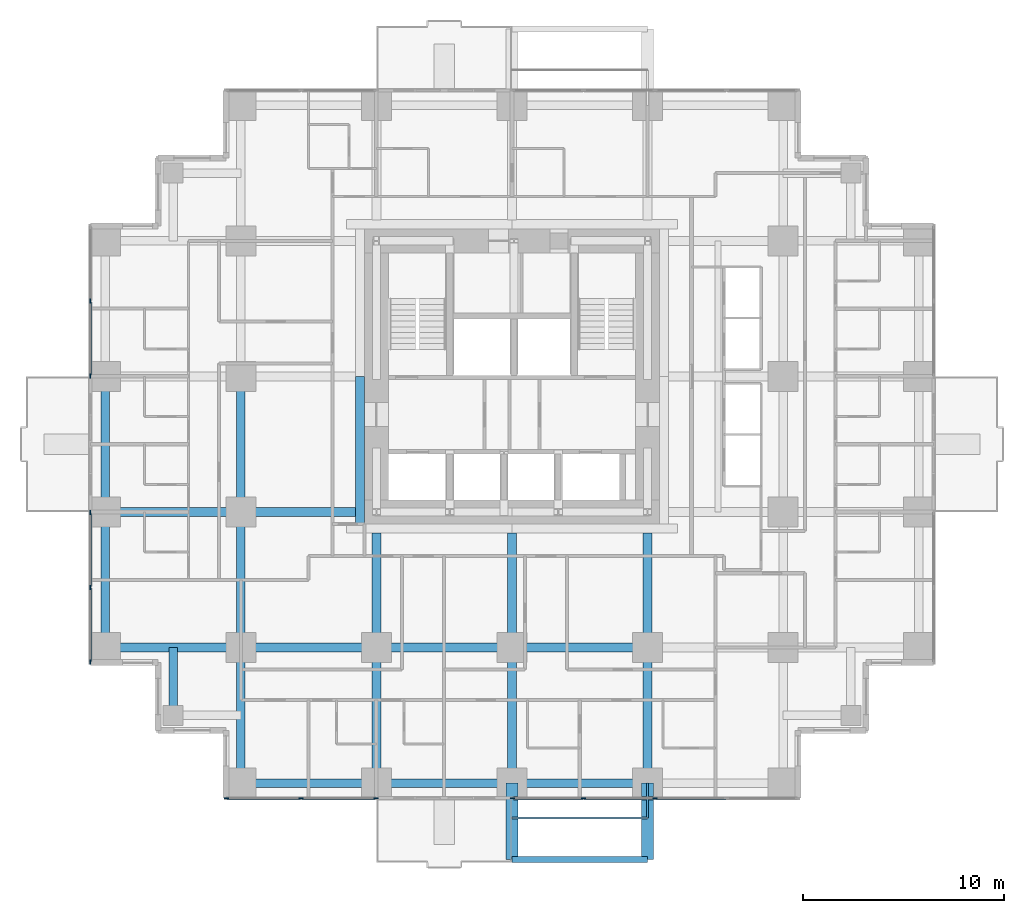
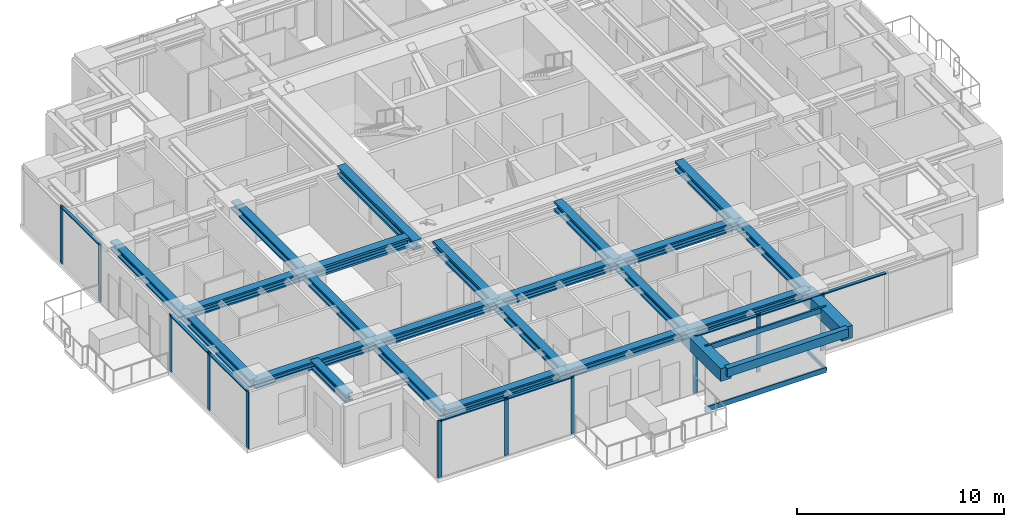
# One storey, part 2 of 13: 25 beams, 22 members, 4 elements without a shape of their own.
"""IFC4 building model written with IfcOpenShell, lengths in metres."""

from ifc_helpers import new_model, si_unit, direction, frame, origin, origin_2d, place, context, subcontext, project, spatial, rectangle, hollow_rectangle, i_section, extrude, material, material_profile, profile_set, type_object, element, aggregate, save


model = new_model("IFC4")

# Units and contexts
model_context = context("Model", 3, precision=1e-05, world=origin(), true_north=direction((0.0, 1.0)))
body_context = subcontext(model_context, "Body", "Model", "MODEL_VIEW")
ifc_project = project(units=[si_unit("LENGTHUNIT", "METRE"), si_unit("AREAUNIT", "SQUARE_METRE"), si_unit("VOLUMEUNIT", "CUBIC_METRE"), si_unit("PLANEANGLEUNIT", "RADIAN"), si_unit("MASSUNIT", "GRAM", prefix="KILO")], contexts=[model_context])

# Site, building, storey
site_placement = place(None, origin())
site = spatial("IfcSite", under=ifc_project, at=site_placement, CompositionType="ELEMENT")
building_placement = place(site_placement, origin())
building = spatial("IfcBuilding", under=site, at=building_placement, Name="Nyansa Garden Tower", CompositionType="ELEMENT")
storey_placement = place(building_placement, frame((0.0, 0.0, 130.5)))
storey = spatial("IfcBuildingStorey", under=building, at=storey_placement, Name="L35", CompositionType="ELEMENT", Elevation=130.5)

# Beams
ifc_material_1 = material(Name="Concrete C70/85", Category="concrete")
ifc_material_profile_1 = material_profile(ifc_material_1, rectangle(XDim=0.60009765625, YDim=0.75, at=origin_2d()), Name="RC 600x750")
ifc_profile_set_1 = profile_set([ifc_material_profile_1], Name="Concrete C70/85")
beam_type_1 = type_object("IfcBeamType", Name="Balcony cantilever beam CB1 RC 600x750", PredefinedType="BEAM", material=ifc_profile_set_1)
for number, where, z_axis, x_axis, name in (
    (1, (20.25, 0.0, 2.985107421875), (0.0, -1.0, 0.0), (1.0, 0.0, 0.0), "Balcony cantilever beam L36"),
    (2, (27.0, 0.0, 2.985107421875), (0.0, -1.0, 0.0), (1.0, 0.0, 0.0), "Balcony cantilever beam L36"),
):
    element("IfcBeam", number, at=place(storey_placement, frame(where, z_axis=z_axis, x_axis=x_axis)), inside=storey, type_object=beam_type_1, Name=name, PredefinedType="BEAM", context=body_context, shape_type="SweptSolid", body=[
        extrude(rectangle(XDim=0.60009765625, YDim=0.75, at=origin_2d()), origin(), (0.0, 0.0, 1.0), 3.800048828125),
    ])
ifc_material_2 = material(Name="Concrete C70/85", Category="concrete")
ifc_material_profile_2 = material_profile(ifc_material_2, rectangle(XDim=0.300048828125, YDim=0.5, at=origin_2d()), Name="RC 300x500")
ifc_profile_set_2 = profile_set([ifc_material_profile_2], Name="Concrete C70/85")
beam_type_2 = type_object("IfcBeamType", Name="Balcony edge beam BE1 RC 300x500", PredefinedType="BEAM", material=ifc_profile_set_2)
beam_1_placement = place(storey_placement, frame((20.25, -3.800048828125, 3.110107421875), z_axis=(1.0, 0.0, 0.0), x_axis=(0.0, 1.0, 0.0)))
element("IfcBeam", 3, at=beam_1_placement, inside=storey, type_object=beam_type_2, Name="Balcony edge beam L36", PredefinedType="BEAM", context=body_context, shape_type="SweptSolid", body=[
    extrude(rectangle(XDim=0.300048828125, YDim=0.5, at=origin_2d()), origin(), (0.0, 0.0, 1.0), 6.75),
])

# Curtain wall, members
ifc_material_3 = material(Name="Black anodised aluminium, dark tinted double glazing", Category="aluminium")
curtain_wall_type = type_object("IfcCurtainWallType", Name="Inner skin curtain wall ISW-B", PredefinedType="USERDEFINED", material=ifc_material_3)
curtain_wall_1_placement = place(storey_placement, origin())
curtain_wall_1 = element("IfcCurtainWall", 4, at=curtain_wall_1_placement, inside=storey, type_object=curtain_wall_type, Name="Inner skin curtain wall L35 W", ObjectType="UNITISED CURTAIN WALL", PredefinedType="USERDEFINED")
ifc_material_4 = material(Name="Black anodised aluminium", Category="aluminium")
ifc_material_profile_3 = material_profile(ifc_material_4, rectangle(XDim=0.06494140625, YDim=0.22509765625, at=origin_2d()), Name="Mullion 225x65")
ifc_profile_set_3 = profile_set([ifc_material_profile_3], Name="Black anodised aluminium")
member_type_1 = type_object("IfcMemberType", Name="Mullion ISW-B 225x65", PredefinedType="MULLION", material=ifc_profile_set_3)
member_1_placement = place(storey_placement, frame((-0.75, 13.467529296875, 0.0), z_axis=(0.0, 0.0, 1.0), x_axis=(1.0, 0.0, 0.0)))
member_1 = element("IfcMember", 5, at=member_1_placement, type_object=member_type_1, Name="ISW-B mullion 1", PredefinedType="MULLION", context=body_context, shape_type="SweptSolid", body=[
    extrude(rectangle(XDim=0.06494140625, YDim=0.22509765625, at=origin_2d()), origin(), (0.0, 0.0, 1.0), 3.375),
])
member_2_placement = place(storey_placement, frame((-0.75, 9.75, 0.0), z_axis=(0.0, 0.0, 1.0), x_axis=(1.0, 0.0, 0.0)))
member_2 = element("IfcMember", 6, at=member_2_placement, type_object=member_type_1, Name="ISW-B mullion 2", PredefinedType="MULLION", context=body_context, shape_type="SweptSolid", body=[
    extrude(rectangle(XDim=0.06494140625, YDim=0.22509765625, at=origin_2d()), origin(), (0.0, 0.0, 1.0), 3.375),
])
member_3_placement = place(storey_placement, frame((-0.75, 6.032470703125, 0.0), z_axis=(0.0, 0.0, 1.0), x_axis=(1.0, 0.0, 0.0)))
member_3 = element("IfcMember", 7, at=member_3_placement, type_object=member_type_1, Name="ISW-B mullion 3", PredefinedType="MULLION", context=body_context, shape_type="SweptSolid", body=[
    extrude(rectangle(XDim=0.06494140625, YDim=0.22509765625, at=origin_2d()), origin(), (0.0, 0.0, 1.0), 3.375),
])

curtain_wall_2_placement = place(storey_placement, origin())
curtain_wall_2 = element("IfcCurtainWall", 8, at=curtain_wall_2_placement, inside=storey, type_object=curtain_wall_type, Name="Inner skin curtain wall L35 W", ObjectType="UNITISED CURTAIN WALL", PredefinedType="USERDEFINED")
member_4_placement = place(storey_placement, frame((-0.75, 24.0, 0.0), z_axis=(0.0, 0.0, 1.0), x_axis=(1.0, 0.0, 0.0)))
member_4 = element("IfcMember", 9, at=member_4_placement, type_object=member_type_1, Name="ISW-B mullion 2", PredefinedType="MULLION", context=body_context, shape_type="SweptSolid", body=[
    extrude(rectangle(XDim=0.06494140625, YDim=0.22509765625, at=origin_2d()), origin(), (0.0, 0.0, 1.0), 3.375),
])
member_5_placement = place(storey_placement, frame((-0.75, 20.282470703125, 0.0), z_axis=(0.0, 0.0, 1.0), x_axis=(1.0, 0.0, 0.0)))
member_5 = element("IfcMember", 10, at=member_5_placement, type_object=member_type_1, Name="ISW-B mullion 3", PredefinedType="MULLION", context=body_context, shape_type="SweptSolid", body=[
    extrude(rectangle(XDim=0.06494140625, YDim=0.22509765625, at=origin_2d()), origin(), (0.0, 0.0, 1.0), 3.375),
])

curtain_wall_3_placement = place(storey_placement, origin())
curtain_wall_3 = element("IfcCurtainWall", 11, at=curtain_wall_3_placement, inside=storey, type_object=curtain_wall_type, Name="Inner skin curtain wall L35 S", ObjectType="UNITISED CURTAIN WALL", PredefinedType="USERDEFINED")
member_6_placement = place(storey_placement, frame((6.032470703125, -0.75, 0.0), z_axis=(0.0, 0.0, 1.0), x_axis=(0.0, 1.0, 0.0)))
member_6 = element("IfcMember", 12, at=member_6_placement, type_object=member_type_1, Name="ISW-B mullion 1", PredefinedType="MULLION", context=body_context, shape_type="SweptSolid", body=[
    extrude(rectangle(XDim=0.06494140625, YDim=0.22509765625, at=origin_2d()), origin(), (0.0, 0.0, 1.0), 3.375),
])
member_7_placement = place(storey_placement, frame((9.75, -0.75, 0.0), z_axis=(0.0, 0.0, 1.0), x_axis=(0.0, 1.0, 0.0)))
member_7 = element("IfcMember", 13, at=member_7_placement, type_object=member_type_1, Name="ISW-B mullion 2", PredefinedType="MULLION", context=body_context, shape_type="SweptSolid", body=[
    extrude(rectangle(XDim=0.06494140625, YDim=0.22509765625, at=origin_2d()), origin(), (0.0, 0.0, 1.0), 3.375),
])
member_8_placement = place(storey_placement, frame((13.467529296875, -0.75, 0.0), z_axis=(0.0, 0.0, 1.0), x_axis=(0.0, 1.0, 0.0)))
member_8 = element("IfcMember", 14, at=member_8_placement, type_object=member_type_1, Name="ISW-B mullion 3", PredefinedType="MULLION", context=body_context, shape_type="SweptSolid", body=[
    extrude(rectangle(XDim=0.06494140625, YDim=0.22509765625, at=origin_2d()), origin(), (0.0, 0.0, 1.0), 3.375),
])

curtain_wall_4_placement = place(storey_placement, origin())
curtain_wall_4 = element("IfcCurtainWall", 15, at=curtain_wall_4_placement, inside=storey, type_object=curtain_wall_type, Name="Inner skin curtain wall L35 S", ObjectType="UNITISED CURTAIN WALL", PredefinedType="USERDEFINED")
member_9_placement = place(storey_placement, frame((20.282470703125, -0.75, 0.0), z_axis=(0.0, 0.0, 1.0), x_axis=(0.0, 1.0, 0.0)))
member_9 = element("IfcMember", 16, at=member_9_placement, type_object=member_type_1, Name="ISW-B mullion 1", PredefinedType="MULLION", context=body_context, shape_type="SweptSolid", body=[
    extrude(rectangle(XDim=0.06494140625, YDim=0.22509765625, at=origin_2d()), origin(), (0.0, 0.0, 1.0), 3.375),
])
member_10_placement = place(storey_placement, frame((23.8125, -0.75, 0.0), z_axis=(0.0, 0.0, 1.0), x_axis=(0.0, 1.0, 0.0)))
member_10 = element("IfcMember", 17, at=member_10_placement, type_object=member_type_1, Name="ISW-B mullion 2", PredefinedType="MULLION", context=body_context, shape_type="SweptSolid", body=[
    extrude(rectangle(XDim=0.06494140625, YDim=0.22509765625, at=origin_2d()), origin(), (0.0, 0.0, 1.0), 3.375),
])
member_11_placement = place(storey_placement, frame((27.375, -0.75, 0.0), z_axis=(0.0, 0.0, 1.0), x_axis=(0.0, 1.0, 0.0)))
member_11 = element("IfcMember", 18, at=member_11_placement, type_object=member_type_1, Name="ISW-B mullion 3", PredefinedType="MULLION", context=body_context, shape_type="SweptSolid", body=[
    extrude(rectangle(XDim=0.06494140625, YDim=0.22509765625, at=origin_2d()), origin(), (0.0, 0.0, 1.0), 3.375),
])

# Members
ifc_material_5 = material(Name="Steel S355, black powder coated", Category="steel")
ifc_material_profile_4 = material_profile(ifc_material_5, hollow_rectangle(XDim=0.10009765625, YDim=0.199951171875, WallThickness=0.008056640625, at=origin_2d()), Name="RHS 200x100x8")
ifc_profile_set_4 = profile_set([ifc_material_profile_4], Name="Steel S355, black powder coated")
member_type_2 = type_object("IfcMemberType", Name="Outer skin bracket arm RHS 200x100x8", PredefinedType="USERDEFINED", material=ifc_profile_set_4)
member_12_placement = place(storey_placement, frame((27.0, 0.0, -0.375), z_axis=(0.0, -1.0, 0.0), x_axis=(1.0, 0.0, 0.0)))
element("IfcMember", 19, at=member_12_placement, inside=storey, type_object=member_type_2, Name="Outer skin bracket arm", ObjectType="OUTER SKIN BRACKET", PredefinedType="USERDEFINED", context=body_context, shape_type="SweptSolid", body=[
    extrude(hollow_rectangle(XDim=0.10009765625, YDim=0.199951171875, WallThickness=0.008056640625, at=origin_2d()), origin(), (0.0, 0.0, 1.0), 1.75),
])
ifc_material_6 = material(Name="Steel S355, black powder coated", Category="steel")
ifc_material_profile_5 = material_profile(ifc_material_6, hollow_rectangle(XDim=0.10009765625, YDim=0.300048828125, WallThickness=0.010009765625, at=origin_2d()), Name="RHS 300x100x10")
ifc_profile_set_5 = profile_set([ifc_material_profile_5], Name="Steel S355, black powder coated")
member_type_3 = type_object("IfcMemberType", Name="Outer skin rail RHS 300x100x10", PredefinedType="USERDEFINED", material=ifc_profile_set_5)
for number, where, z_axis, x_axis, name in (
    (20, (20.25, -1.75, -0.375), (1.0, 0.0, 0.0), (0.0, 1.0, 0.0), "Outer skin rail L35"),
    (21, (20.25, -1.75, 3.22509765625), (1.0, 0.0, 0.0), (0.0, 1.0, 0.0), "Outer skin rail L35 head"),
):
    element("IfcMember", number, at=place(storey_placement, frame(where, z_axis=z_axis, x_axis=x_axis)), inside=storey, type_object=member_type_3, Name=name, ObjectType="OUTER SKIN RAIL", PredefinedType="USERDEFINED", context=body_context, shape_type="SweptSolid", body=[
        extrude(hollow_rectangle(XDim=0.10009765625, YDim=0.300048828125, WallThickness=0.010009765625, at=origin_2d()), origin(), (0.0, 0.0, 1.0), 6.75),
    ])

# Beams
ifc_material_7 = material(Name="Steel S355", Category="steel")
ifc_material_profile_6 = material_profile(ifc_material_7, i_section(OverallWidth=0.431884765625, OverallDepth=0.498046875, WebThickness=0.0556640625, FlangeThickness=0.0888671875, FilletRadius=0.014892578125, at=origin_2d()), Name="HD 400x744")
ifc_profile_set_6 = profile_set([ifc_material_profile_6], Name="Steel S355")
beam_type_3 = type_object("IfcBeamType", Name="Steel beam SBB2-744 HD 400x744", PredefinedType="BEAM", material=ifc_profile_set_6)
for number, where, z_axis, x_axis, name in (
    (22, (0.0, 6.75, 3.1259765625), (1.0, 0.0, 0.0), (0.0, 1.0, 0.0), "Steel beam 2/E-3/E L36"),
    (23, (0.0, 13.5, 3.1259765625), (1.0, 0.0, 0.0), (0.0, 1.0, 0.0), "Steel beam 2/F-3/F L36"),
    (24, (6.75, 0.0, 3.1259765625), (0.0, 1.0, 0.0), (-1.0, 0.0, 0.0), "Steel beam 3/D-3/E L36"),
    (25, (6.75, 6.75, 3.1259765625), (0.0, 1.0, 0.0), (-1.0, 0.0, 0.0), "Steel beam 3/E-3/F L36"),
    (26, (6.75, 6.75, 3.1259765625), (1.0, 0.0, 0.0), (0.0, 1.0, 0.0), "Steel beam 3/E-4/E L36"),
    (27, (6.75, 13.5, 3.1259765625), (0.0, 1.0, 0.0), (-1.0, 0.0, 0.0), "Steel beam 3/F-3/G L36"),
    (28, (13.5, 0.0, 3.1259765625), (0.0, 1.0, 0.0), (-1.0, 0.0, 0.0), "Steel beam 4/D-4/E L36"),
    (29, (13.5, 6.75, 3.1259765625), (1.0, 0.0, 0.0), (0.0, 1.0, 0.0), "Steel beam 4/E-5/E L36"),
    (30, (20.25, 0.0, 3.1259765625), (0.0, 1.0, 0.0), (-1.0, 0.0, 0.0), "Steel beam 5/D-5/E L36"),
    (31, (20.25, 6.75, 3.1259765625), (1.0, 0.0, 0.0), (0.0, 1.0, 0.0), "Steel beam 5/E-6/E L36"),
    (32, (27.0, 0.0, 3.1259765625), (0.0, 1.0, 0.0), (-1.0, 0.0, 0.0), "Steel beam 6/D-6/E L36"),
):
    element("IfcBeam", number, at=place(storey_placement, frame(where, z_axis=z_axis, x_axis=x_axis)), inside=storey, type_object=beam_type_3, Name=name, PredefinedType="BEAM", context=body_context, shape_type="SweptSolid", body=[
        extrude(i_section(OverallWidth=0.431884765625, OverallDepth=0.498046875, WebThickness=0.0556640625, FlangeThickness=0.0888671875, FilletRadius=0.014892578125, at=origin_2d()), origin(), (0.0, 0.0, 1.0), 6.75),
    ])
ifc_material_8 = material(Name="Steel S355", Category="steel")
ifc_material_profile_7 = material_profile(ifc_material_8, i_section(OverallWidth=0.4541015625, OverallDepth=0.569091796875, WebThickness=0.077880859375, FlangeThickness=0.125, FilletRadius=0.014892578125, at=origin_2d()), Name="HD 400x1086")
ifc_profile_set_7 = profile_set([ifc_material_profile_7], Name="Steel S355")
beam_type_4 = type_object("IfcBeamType", Name="Steel beam SCL-1086 HD 400x1086", PredefinedType="BEAM", material=ifc_profile_set_7)
for number, where, z_axis, x_axis, name in (
    (33, (6.75, 13.5, 3.090576171875), (1.0, 0.0, 0.0), (0.0, 1.0, 0.0), "Steel beam 3/F-12.450/F L36"),
    (34, (13.5, 6.75, 3.090576171875), (0.0, 1.0, 0.0), (-1.0, 0.0, 0.0), "Steel beam 4/E-4/12.450 L36"),
    (35, (20.25, 6.75, 3.090576171875), (0.0, 1.0, 0.0), (-1.0, 0.0, 0.0), "Steel beam 5/E-5/12.450 L36"),
    (36, (27.0, 6.75, 3.090576171875), (0.0, 1.0, 0.0), (-1.0, 0.0, 0.0), "Steel beam 6/E-6/12.450 L36"),
):
    element("IfcBeam", number, at=place(storey_placement, frame(where, z_axis=z_axis, x_axis=x_axis)), inside=storey, type_object=beam_type_4, Name=name, PredefinedType="BEAM", context=body_context, shape_type="SweptSolid", body=[
        extrude(i_section(OverallWidth=0.4541015625, OverallDepth=0.569091796875, WebThickness=0.077880859375, FlangeThickness=0.125, FilletRadius=0.014892578125, at=origin_2d()), origin(), (0.0, 0.0, 1.0), 5.699951171875),
    ])
beam_2_placement = place(storey_placement, frame((12.673095703125, 20.25, 3.090576171875), z_axis=(0.0, -1.0, 0.0), x_axis=(1.0, 0.0, 0.0)))
element("IfcBeam", 37, at=beam_2_placement, inside=storey, type_object=beam_type_4, Name="Steel core ledger beam W.2 L36", PredefinedType="BEAM", context=body_context, shape_type="SweptSolid", body=[
    extrude(i_section(OverallWidth=0.4541015625, OverallDepth=0.569091796875, WebThickness=0.077880859375, FlangeThickness=0.125, FilletRadius=0.014892578125, at=origin_2d()), origin(), (0.0, 0.0, 1.0), 7.35009765625),
])
ifc_material_9 = material(Name="Steel S355", Category="steel")
ifc_material_profile_8 = material_profile(ifc_material_9, i_section(OverallWidth=0.431884765625, OverallDepth=0.498046875, WebThickness=0.0556640625, FlangeThickness=0.0888671875, FilletRadius=0.014892578125, at=origin_2d()), Name="HD 400x744")
ifc_profile_set_8 = profile_set([ifc_material_profile_8], Name="Steel S355")
beam_type_5 = type_object("IfcBeamType", Name="Steel beam SEBB-744 HD 400x744", PredefinedType="BEAM", material=ifc_profile_set_8)
for number, where, z_axis, x_axis, name in (
    (38, (0.0, 6.75, 3.1259765625), (0.0, 1.0, 0.0), (-1.0, 0.0, 0.0), "Steel edge beam 2/E-2/F L36"),
    (39, (0.0, 13.5, 3.1259765625), (0.0, 1.0, 0.0), (-1.0, 0.0, 0.0), "Steel edge beam 2/F-2/G L36"),
    (40, (6.75, 0.0, 3.1259765625), (1.0, 0.0, 0.0), (0.0, 1.0, 0.0), "Steel edge beam 3/D-4/D L36"),
    (41, (13.5, 0.0, 3.1259765625), (1.0, 0.0, 0.0), (0.0, 1.0, 0.0), "Steel edge beam 4/D-5/D L36"),
    (42, (20.25, 0.0, 3.1259765625), (1.0, 0.0, 0.0), (0.0, 1.0, 0.0), "Steel edge beam 5/D-6/D L36"),
):
    element("IfcBeam", number, at=place(storey_placement, frame(where, z_axis=z_axis, x_axis=x_axis)), inside=storey, type_object=beam_type_5, Name=name, PredefinedType="BEAM", context=body_context, shape_type="SweptSolid", body=[
        extrude(i_section(OverallWidth=0.431884765625, OverallDepth=0.498046875, WebThickness=0.0556640625, FlangeThickness=0.0888671875, FilletRadius=0.014892578125, at=origin_2d()), origin(), (0.0, 0.0, 1.0), 6.75),
    ])
ifc_material_10 = material(Name="Steel S355", Category="steel")
ifc_material_profile_9 = material_profile(ifc_material_10, i_section(OverallWidth=0.431884765625, OverallDepth=0.498046875, WebThickness=0.0556640625, FlangeThickness=0.0888671875, FilletRadius=0.014892578125, at=origin_2d()), Name="HD 400x744")
ifc_profile_set_9 = profile_set([ifc_material_profile_9], Name="Steel S355")
beam_type_6 = type_object("IfcBeamType", Name="Steel beam SSB1-744 HD 400x744", PredefinedType="BEAM", material=ifc_profile_set_9)
beam_3_placement = place(storey_placement, frame((3.375, 3.375, 3.1259765625), z_axis=(0.0, 1.0, 0.0), x_axis=(-1.0, 0.0, 0.0)))
element("IfcBeam", 43, at=beam_3_placement, inside=storey, type_object=beam_type_6, Name="Steel step beam 3.375/3.375 L36", PredefinedType="BEAM", context=body_context, shape_type="SweptSolid", body=[
    extrude(i_section(OverallWidth=0.431884765625, OverallDepth=0.498046875, WebThickness=0.0556640625, FlangeThickness=0.0888671875, FilletRadius=0.014892578125, at=origin_2d()), origin(), (0.0, 0.0, 1.0), 3.375),
])

# Member
ifc_material_11 = material(Name="Black anodised aluminium", Category="aluminium")
ifc_material_profile_10 = material_profile(ifc_material_11, rectangle(XDim=0.1650390625, YDim=0.06494140625, at=origin_2d()), Name="Transom 165x65")
ifc_profile_set_10 = profile_set([ifc_material_profile_10], Name="Black anodised aluminium")
member_type_4 = type_object("IfcMemberType", Name="Transom ISW-B 165x65", PredefinedType="USERDEFINED", material=ifc_profile_set_10)
member_13_placement = place(storey_placement, frame((-0.75, 13.43505859375, 3.342529296875), z_axis=(0.0, -1.0, 0.0), x_axis=(1.0, 0.0, 0.0)))
member_13 = element("IfcMember", 44, at=member_13_placement, type_object=member_type_4, Name="ISW-B transom 1", ObjectType="TRANSOM", PredefinedType="USERDEFINED", context=body_context, shape_type="SweptSolid", body=[
    extrude(rectangle(XDim=0.1650390625, YDim=0.06494140625, at=origin_2d()), origin(), (0.0, 0.0, 1.0), 3.652587890625),
])

member_14_placement = place(storey_placement, frame((-0.75, 9.717529296875, 3.342529296875), z_axis=(0.0, -1.0, 0.0), x_axis=(1.0, 0.0, 0.0)))
member_14 = element("IfcMember", 45, at=member_14_placement, type_object=member_type_4, Name="ISW-B transom 2", ObjectType="TRANSOM", PredefinedType="USERDEFINED", context=body_context, shape_type="SweptSolid", body=[
    extrude(rectangle(XDim=0.1650390625, YDim=0.06494140625, at=origin_2d()), origin(), (0.0, 0.0, 1.0), 3.652587890625),
])

aggregate(curtain_wall_1, [member_1, member_2, member_3, member_13, member_14])

member_15_placement = place(storey_placement, frame((-0.75, 23.967529296875, 3.342529296875), z_axis=(0.0, -1.0, 0.0), x_axis=(1.0, 0.0, 0.0)))
member_15 = element("IfcMember", 46, at=member_15_placement, type_object=member_type_4, Name="ISW-B transom 2", ObjectType="TRANSOM", PredefinedType="USERDEFINED", context=body_context, shape_type="SweptSolid", body=[
    extrude(rectangle(XDim=0.1650390625, YDim=0.06494140625, at=origin_2d()), origin(), (0.0, 0.0, 1.0), 3.652587890625),
])

aggregate(curtain_wall_2, [member_4, member_5, member_15])

member_16_placement = place(storey_placement, frame((6.06494140625, -0.75, 3.342529296875), z_axis=(1.0, 0.0, 0.0), x_axis=(0.0, 1.0, 0.0)))
member_16 = element("IfcMember", 47, at=member_16_placement, type_object=member_type_4, Name="ISW-B transom 1", ObjectType="TRANSOM", PredefinedType="USERDEFINED", context=body_context, shape_type="SweptSolid", body=[
    extrude(rectangle(XDim=0.1650390625, YDim=0.06494140625, at=origin_2d()), origin(), (0.0, 0.0, 1.0), 3.652587890625),
])

member_17_placement = place(storey_placement, frame((9.782470703125, -0.75, 3.342529296875), z_axis=(1.0, 0.0, 0.0), x_axis=(0.0, 1.0, 0.0)))
member_17 = element("IfcMember", 48, at=member_17_placement, type_object=member_type_4, Name="ISW-B transom 2", ObjectType="TRANSOM", PredefinedType="USERDEFINED", context=body_context, shape_type="SweptSolid", body=[
    extrude(rectangle(XDim=0.1650390625, YDim=0.06494140625, at=origin_2d()), origin(), (0.0, 0.0, 1.0), 3.652587890625),
])

aggregate(curtain_wall_3, [member_6, member_7, member_8, member_16, member_17])

member_18_placement = place(storey_placement, frame((20.31494140625, -0.75, 3.342529296875), z_axis=(1.0, 0.0, 0.0), x_axis=(0.0, 1.0, 0.0)))
member_18 = element("IfcMember", 49, at=member_18_placement, type_object=member_type_4, Name="ISW-B transom 1", ObjectType="TRANSOM", PredefinedType="USERDEFINED", context=body_context, shape_type="SweptSolid", body=[
    extrude(rectangle(XDim=0.1650390625, YDim=0.06494140625, at=origin_2d()), origin(), (0.0, 0.0, 1.0), 3.465087890625),
])

member_19_placement = place(storey_placement, frame((23.844970703125, -0.75, 3.342529296875), z_axis=(1.0, 0.0, 0.0), x_axis=(0.0, 1.0, 0.0)))
member_19 = element("IfcMember", 50, at=member_19_placement, type_object=member_type_4, Name="ISW-B transom 2", ObjectType="TRANSOM", PredefinedType="USERDEFINED", context=body_context, shape_type="SweptSolid", body=[
    extrude(rectangle(XDim=0.1650390625, YDim=0.06494140625, at=origin_2d()), origin(), (0.0, 0.0, 1.0), 3.49755859375),
])

member_20_placement = place(storey_placement, frame((27.407470703125, -0.75, 3.342529296875), z_axis=(1.0, 0.0, 0.0), x_axis=(0.0, 1.0, 0.0)))
member_20 = element("IfcMember", 51, at=member_20_placement, type_object=member_type_4, Name="ISW-B transom 3", ObjectType="TRANSOM", PredefinedType="USERDEFINED", context=body_context, shape_type="SweptSolid", body=[
    extrude(rectangle(XDim=0.1650390625, YDim=0.06494140625, at=origin_2d()), origin(), (0.0, 0.0, 1.0), 3.49755859375),
])

aggregate(curtain_wall_4, [member_9, member_10, member_11, member_18, member_19, member_20])

save(model, "model.ifc")
